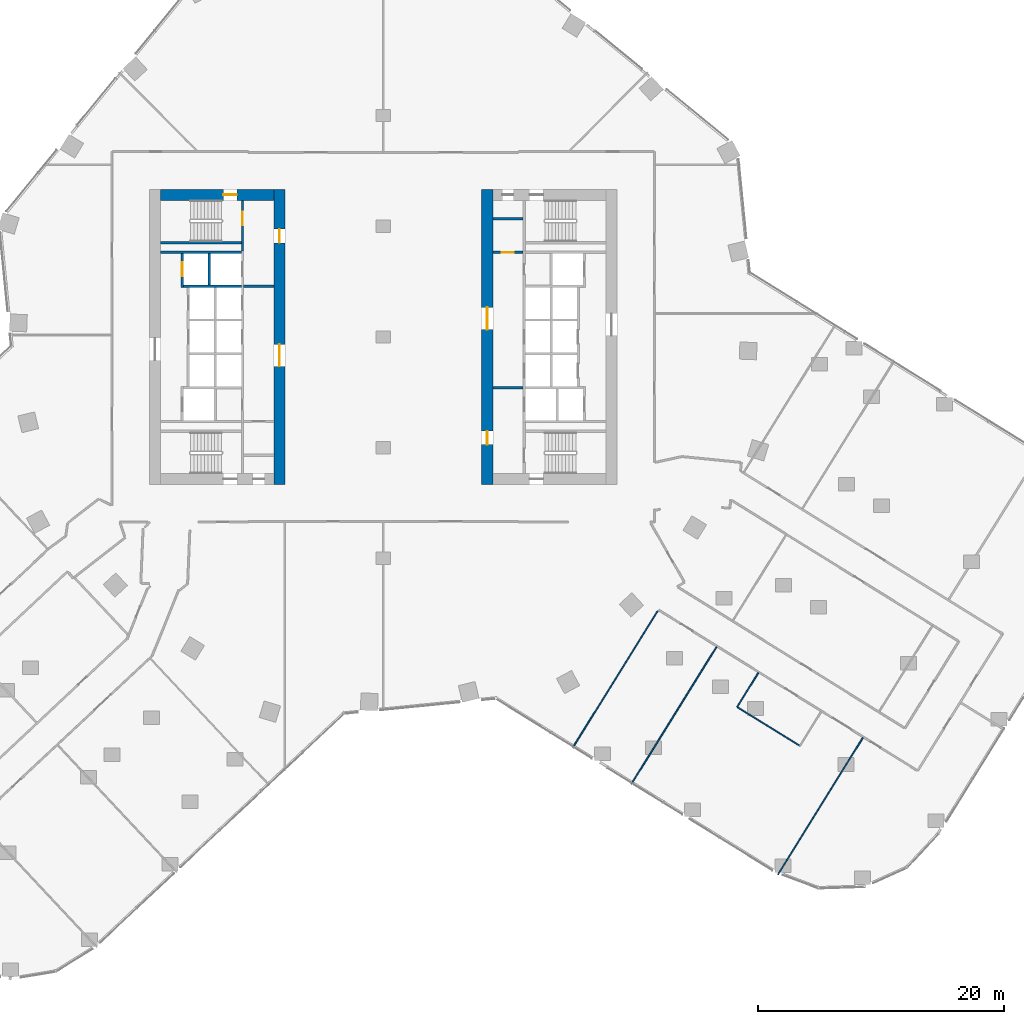
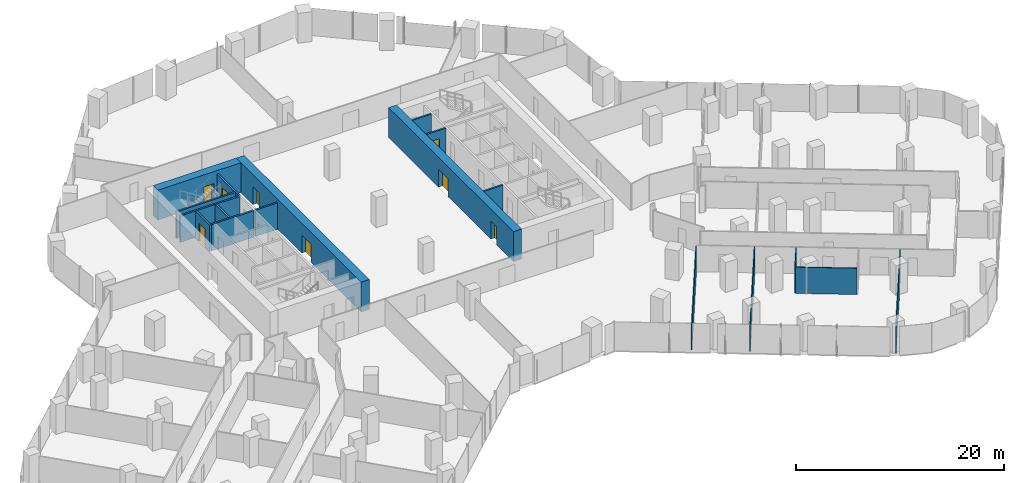
# One storey, part 29 of 33: 18 walls, 8 doors, 8 openings.
"""IFC4 building model written with IfcOpenShell, lengths in metres."""

from ifc_helpers import new_model, si_unit, direction, frame, frame_2d, origin, place, context, subcontext, project, spatial, rectangle, extrude, material, layer, layer_set, type_object, element, fill, save


model = new_model("IFC4")

# Units and contexts
model_context = context("Model", 3, precision=1e-05, world=origin(), true_north=direction((0.0, 1.0)))
body_context = subcontext(model_context, "Body", "Model", "MODEL_VIEW")
ifc_project = project(units=[si_unit("LENGTHUNIT", "METRE"), si_unit("AREAUNIT", "SQUARE_METRE"), si_unit("VOLUMEUNIT", "CUBIC_METRE"), si_unit("PLANEANGLEUNIT", "RADIAN"), si_unit("MASSUNIT", "GRAM", prefix="KILO")], contexts=[model_context])

# Site, building, storey
site_placement = place(None, origin())
site = spatial("IfcSite", under=ifc_project, at=site_placement, CompositionType="ELEMENT")
building_placement = place(site_placement, origin())
building = spatial("IfcBuilding", under=site, at=building_placement, Name="Orlundy Tower", CompositionType="ELEMENT")
storey_placement = place(building_placement, frame((0.0, 0.0, 51.300048828125)))
storey = spatial("IfcBuildingStorey", under=building, at=storey_placement, Name="L11", CompositionType="ELEMENT", Elevation=51.300048828125)

# Wall, opening, door
ifc_material_1 = material(Name="Concrete C80/95", Category="concrete")
ifc_layer_1 = layer(ifc_material_1, 0.89990234375)
ifc_layer_set_1 = layer_set([ifc_layer_1], Name="CORE WALL 900 C80/95")
wall_type_1 = type_object("IfcWallType", Name="CORE WALL 900 C80/95", PredefinedType="SHEAR", material=ifc_layer_set_1)
wall_1_placement = place(storey_placement, frame((-18.10009765625, 11.550048828125, 0.0), z_axis=(0.0, 0.0, 1.0), x_axis=(1.0, 0.0, 0.0)))
wall_1 = element("IfcWall", 1, at=wall_1_placement, inside=storey, type_object=wall_type_1, Name="Core wall W-N L11", PredefinedType="SHEAR", context=body_context, shape_type="SweptSolid", body=[
    extrude(rectangle(XDim=9.2001953125, YDim=0.89990234375, at=frame_2d((4.60009765625, 0.0))), origin(), (0.0, 0.0, 1.0), 3.5),
])
opening_1_placement = place(wall_1_placement, frame((5.10009765625, 0.0, 0.0)))
opening_1 = element("IfcOpeningElement", 2, at=opening_1_placement, cuts=wall_1, Name="Opening 10012", PredefinedType="OPENING", context=body_context, shape_type="SweptSolid", body=[
    extrude(rectangle(XDim=1.10009765625, YDim=2.10009765625, at=frame_2d((0.550048828125, 1.050048828125))), frame((0.0, 0.4599609375, 0.0), z_axis=(0.0, -1.0, 0.0), x_axis=(1.0, 0.0, 0.0)), (0.0, 0.0, 1.0), 0.919921875),
])
ifc_material_2 = material(Name="Steel door set", Category="steel")
door_type_1 = type_object("IfcDoorType", Name="Stair Door 1100x2100", OperationType="SINGLE_SWING_LEFT", PredefinedType="DOOR", material=ifc_material_2)
door_1_placement = place(opening_1_placement, origin())
door_1 = element("IfcDoor", 3, at=door_1_placement, inside=storey, type_object=door_type_1, Name="Stair door 10012", OperationType="SINGLE_SWING_RIGHT", OverallHeight=2.10009765625, OverallWidth=1.10009765625, PredefinedType="DOOR", context=body_context, shape_type="SweptSolid", body=[
    extrude(rectangle(XDim=1.10009765625, YDim=2.10009765625, at=frame_2d((0.550048828125, 1.050048828125))), frame((0.0, 0.02490234375, 0.0), z_axis=(0.0, -1.0, 0.0), x_axis=(1.0, 0.0, 0.0)), (0.0, 0.0, 1.0), 0.050048828125),
])
fill(opening_1, door_1)

# Wall, openings, doors
wall_2_placement = place(storey_placement, frame((-8.449951171875, -12.0, 0.0), z_axis=(0.0, 0.0, 1.0), x_axis=(0.0, 1.0, 0.0)))
wall_2 = element("IfcWall", 4, at=wall_2_placement, inside=storey, type_object=wall_type_1, Name="Core wall W-E L11", PredefinedType="SHEAR", context=body_context, shape_type="SweptSolid", body=[
    extrude(rectangle(XDim=24.0, YDim=0.89990234375, at=frame_2d((12.0, 0.0))), origin(), (0.0, 0.0, 1.0), 3.5),
])
opening_2_placement = place(wall_2_placement, frame((9.60009765625, 0.0, 0.0)))
opening_2 = element("IfcOpeningElement", 5, at=opening_2_placement, cuts=wall_2, Name="Opening 10009", PredefinedType="OPENING", context=body_context, shape_type="SweptSolid", body=[
    extrude(rectangle(XDim=1.800048828125, YDim=2.10009765625, at=frame_2d((0.89990234375, 1.050048828125))), frame((0.0, 0.4599609375, 0.0), z_axis=(0.0, -1.0, 0.0), x_axis=(1.0, 0.0, 0.0)), (0.0, 0.0, 1.0), 0.919921875),
])
opening_3_placement = place(wall_2_placement, frame((19.64990234375, 0.0, 0.0)))
opening_3 = element("IfcOpeningElement", 6, at=opening_3_placement, cuts=wall_2, Name="Opening 10011", PredefinedType="OPENING", context=body_context, shape_type="SweptSolid", body=[
    extrude(rectangle(XDim=1.10009765625, YDim=2.10009765625, at=frame_2d((0.550048828125, 1.050048828125))), frame((0.0, 0.4599609375, 0.0), z_axis=(0.0, -1.0, 0.0), x_axis=(1.0, 0.0, 0.0)), (0.0, 0.0, 1.0), 0.919921875),
])
ifc_material_3 = material(Name="Steel door set", Category="steel")
door_type_2 = type_object("IfcDoorType", Name="Fire-fighting Lobby Door 1100x2100", OperationType="SINGLE_SWING_LEFT", PredefinedType="DOOR", material=ifc_material_3)
door_2_placement = place(opening_3_placement, origin())
door_2 = element("IfcDoor", 7, at=door_2_placement, inside=storey, type_object=door_type_2, Name="Fire-fighting lobby door 10011", OperationType="SINGLE_SWING_RIGHT", OverallHeight=2.10009765625, OverallWidth=1.10009765625, PredefinedType="DOOR", context=body_context, shape_type="SweptSolid", body=[
    extrude(rectangle(XDim=1.10009765625, YDim=2.10009765625, at=frame_2d((0.550048828125, 1.050048828125))), frame((0.0, 0.02490234375, 0.0), z_axis=(0.0, -1.0, 0.0), x_axis=(1.0, 0.0, 0.0)), (0.0, 0.0, 1.0), 0.050048828125),
])
fill(opening_3, door_2)
ifc_material_4 = material(Name="Timber door set", Category="wood")
door_type_3 = type_object("IfcDoorType", Name="Lobby Door 1800x2100", OperationType="DOUBLE_DOOR_DOUBLE_SWING", PredefinedType="DOOR", material=ifc_material_4)
door_3_placement = place(opening_2_placement, origin())
door_3 = element("IfcDoor", 8, at=door_3_placement, inside=storey, type_object=door_type_3, Name="Lift lobby door 10009", OperationType="SINGLE_SWING_LEFT", OverallHeight=2.10009765625, OverallWidth=1.800048828125, PredefinedType="DOOR", context=body_context, shape_type="SweptSolid", body=[
    extrude(rectangle(XDim=1.800048828125, YDim=2.10009765625, at=frame_2d((0.89990234375, 1.050048828125))), frame((0.0, 0.02490234375, 0.0), z_axis=(0.0, -1.0, 0.0), x_axis=(1.0, 0.0, 0.0)), (0.0, 0.0, 1.0), 0.050048828125),
])
fill(opening_2, door_3)

wall_3_placement = place(storey_placement, frame((8.449951171875, -12.0, 0.0), z_axis=(0.0, 0.0, 1.0), x_axis=(0.0, 1.0, 0.0)))
wall_3 = element("IfcWall", 9, at=wall_3_placement, inside=storey, type_object=wall_type_1, Name="Core wall E-W L11", PredefinedType="SHEAR", context=body_context, shape_type="SweptSolid", body=[
    extrude(rectangle(XDim=24.0, YDim=0.89990234375, at=frame_2d((12.0, 0.0))), origin(), (0.0, 0.0, 1.0), 3.5),
])
opening_4_placement = place(wall_3_placement, frame((12.60009765625, 0.0, 0.0)))
opening_4 = element("IfcOpeningElement", 10, at=opening_4_placement, cuts=wall_3, Name="Opening 10058", PredefinedType="OPENING", context=body_context, shape_type="SweptSolid", body=[
    extrude(rectangle(XDim=1.800048828125, YDim=2.10009765625, at=frame_2d((0.89990234375, 1.050048828125))), frame((0.0, 0.4599609375, 0.0), z_axis=(0.0, -1.0, 0.0), x_axis=(1.0, 0.0, 0.0)), (0.0, 0.0, 1.0), 0.919921875),
])
opening_5_placement = place(wall_3_placement, frame((3.25, 0.0, 0.0)))
opening_5 = element("IfcOpeningElement", 11, at=opening_5_placement, cuts=wall_3, Name="Opening 10060", PredefinedType="OPENING", context=body_context, shape_type="SweptSolid", body=[
    extrude(rectangle(XDim=1.10009765625, YDim=2.10009765625, at=frame_2d((0.550048828125, 1.050048828125))), frame((0.0, 0.4599609375, 0.0), z_axis=(0.0, -1.0, 0.0), x_axis=(1.0, 0.0, 0.0)), (0.0, 0.0, 1.0), 0.919921875),
])
door_4_placement = place(opening_5_placement, origin())
door_4 = element("IfcDoor", 12, at=door_4_placement, inside=storey, type_object=door_type_2, Name="Fire-fighting lobby door 10060", OperationType="SINGLE_SWING_LEFT", OverallHeight=2.10009765625, OverallWidth=1.10009765625, PredefinedType="DOOR", context=body_context, shape_type="SweptSolid", body=[
    extrude(rectangle(XDim=1.10009765625, YDim=2.10009765625, at=frame_2d((0.550048828125, 1.050048828125))), frame((0.0, 0.02490234375, 0.0), z_axis=(0.0, -1.0, 0.0), x_axis=(1.0, 0.0, 0.0)), (0.0, 0.0, 1.0), 0.050048828125),
])
fill(opening_5, door_4)
door_5_placement = place(opening_4_placement, origin())
door_5 = element("IfcDoor", 13, at=door_5_placement, inside=storey, type_object=door_type_3, Name="Lift lobby door 10058", OperationType="SINGLE_SWING_RIGHT", OverallHeight=2.10009765625, OverallWidth=1.800048828125, PredefinedType="DOOR", context=body_context, shape_type="SweptSolid", body=[
    extrude(rectangle(XDim=1.800048828125, YDim=2.10009765625, at=frame_2d((0.89990234375, 1.050048828125))), frame((0.0, 0.02490234375, 0.0), z_axis=(0.0, -1.0, 0.0), x_axis=(1.0, 0.0, 0.0)), (0.0, 0.0, 1.0), 0.050048828125),
])
fill(opening_4, door_5)

# Walls
ifc_material_5 = material(Name="Gypsum board partition")
ifc_layer_2 = layer(ifc_material_5, 0.10009765625)
ifc_layer_set_2 = layer_set([ifc_layer_2], Name="Floor partition 100")
wall_type_2 = type_object("IfcWallType", Name="Floor partition 100", PredefinedType="PARTITIONING", material=ifc_layer_set_2)
wall_4_placement = place(storey_placement, frame((28.803955078125, -30.10205078125, 0.0), z_axis=(0.0, 0.0, 1.0), x_axis=(0.849521884128, -0.527553379658, 0.0)))
element("IfcWall", 14, at=wall_4_placement, inside=storey, type_object=wall_type_2, Name="wall-int-L11-017", PredefinedType="PARTITIONING", context=body_context, shape_type="SweptSolid", body=[
    extrude(rectangle(XDim=5.90087890625, YDim=0.10009765625, at=frame_2d((2.950439453125, 0.0))), origin(), (0.0, 0.0, 1.0), 3.079833984375),
])
wall_5_placement = place(storey_placement, frame((32.08203125, -43.68798828125, 0.0), z_axis=(0.0, 0.0, 1.0), x_axis=(0.527448339585, 0.849587105051, 0.0)))
element("IfcWall", 15, at=wall_5_placement, inside=storey, type_object=wall_type_2, Name="wall-int-L11-059", PredefinedType="PARTITIONING", context=body_context, shape_type="SweptSolid", body=[
    extrude(rectangle(XDim=13.08154296875, YDim=0.10009765625, at=frame_2d((6.540771484375, 0.0))), origin(), (0.0, 0.0, 1.0), 3.079833984375),
])
wall_6_placement = place(storey_placement, frame((28.761962890625, -30.075927734375, 0.0), z_axis=(0.0, 0.0, 1.0), x_axis=(0.527485571625, 0.84956398919, 0.0)))
element("IfcWall", 16, at=wall_6_placement, inside=storey, type_object=wall_type_2, Name="wall-int-L11-063", PredefinedType="PARTITIONING", context=body_context, shape_type="SweptSolid", body=[
    extrude(rectangle(XDim=3.2685546875, YDim=0.10009765625, at=frame_2d((1.63427734375, 0.0))), origin(), (0.0, 0.0, 1.0), 3.079833984375),
])
wall_7_placement = place(storey_placement, frame((20.158935546875, -36.35009765625, 0.0), z_axis=(0.0, 0.0, 1.0), x_axis=(0.527437340002, 0.849593933813, 0.0)))
element("IfcWall", 17, at=wall_7_placement, inside=storey, type_object=wall_type_2, Name="wall-int-L11-064", PredefinedType="PARTITIONING", context=body_context, shape_type="SweptSolid", body=[
    extrude(rectangle(XDim=13.136962890625, YDim=0.10009765625, at=frame_2d((6.568359375, 0.0))), origin(), (0.0, 0.0, 1.0), 3.079833984375),
])
wall_8_placement = place(storey_placement, frame((15.39599609375, -33.39306640625, 0.0), z_axis=(0.0, 0.0, 1.0), x_axis=(0.527427412062, 0.849600097107, 0.0)))
element("IfcWall", 18, at=wall_8_placement, inside=storey, type_object=wall_type_2, Name="wall-int-L11-067", PredefinedType="PARTITIONING", context=body_context, shape_type="SweptSolid", body=[
    extrude(rectangle(XDim=13.08642578125, YDim=0.10009765625, at=frame_2d((6.543212890625, 0.0))), origin(), (0.0, 0.0, 1.0), 3.079833984375),
])

# Wall, opening, door
ifc_material_6 = material(Name="Concrete C40/50", Category="concrete")
ifc_layer_3 = layer(ifc_material_6, 0.199951171875)
ifc_layer_set_3 = layer_set([ifc_layer_3], Name="Load-bearing Shaft Wall 200")
wall_type_3 = type_object("IfcWallType", Name="Load-bearing Shaft Wall 200", PredefinedType="SOLIDWALL", material=ifc_layer_set_3)
wall_9_placement = place(storey_placement, frame((-11.43994140625, 6.97509765625, 0.0), z_axis=(0.0, 0.0, 1.0), x_axis=(0.0, 1.0, 0.0)))
wall_9 = element("IfcWall", 19, at=wall_9_placement, inside=storey, type_object=wall_type_3, Name="Shaft wall W10-stair-end-n", PredefinedType="SOLIDWALL", context=body_context, shape_type="SweptSolid", body=[
    extrude(rectangle(XDim=4.125, YDim=0.199951171875, at=frame_2d((2.0625, 0.0))), origin(), (0.0, 0.0, 1.0), 3.08984375),
])
opening_6_placement = place(wall_9_placement, frame((2.10009765625, 0.0, 0.0)))
opening_6 = element("IfcOpeningElement", 20, at=opening_6_placement, cuts=wall_9, Name="Opening 10014", PredefinedType="OPENING", context=body_context, shape_type="SweptSolid", body=[
    extrude(rectangle(XDim=1.10009765625, YDim=2.10009765625, at=frame_2d((0.550048828125, 1.050048828125))), frame((0.0, 0.110107421875, 0.0), z_axis=(0.0, -1.0, 0.0), x_axis=(1.0, 0.0, 0.0)), (0.0, 0.0, 1.0), 0.22021484375),
])
door_6_placement = place(opening_6_placement, origin())
door_6 = element("IfcDoor", 21, at=door_6_placement, inside=storey, type_object=door_type_2, Name="Fire-fighting lobby to stair door 10014", OperationType="SINGLE_SWING_RIGHT", OverallHeight=2.10009765625, OverallWidth=1.10009765625, PredefinedType="DOOR", context=body_context, shape_type="SweptSolid", body=[
    extrude(rectangle(XDim=1.10009765625, YDim=2.10009765625, at=frame_2d((0.550048828125, 1.050048828125))), frame((0.0, 0.02490234375, 0.0), z_axis=(0.0, -1.0, 0.0), x_axis=(1.0, 0.0, 0.0)), (0.0, 0.0, 1.0), 0.050048828125),
])
fill(opening_6, door_6)

# Walls
wall_10_placement = place(storey_placement, frame((-11.5400390625, 7.64990234375, 0.0), z_axis=(0.0, 0.0, 1.0), x_axis=(-1.0, 0.0, 0.0)))
element("IfcWall", 22, at=wall_10_placement, inside=storey, type_object=wall_type_3, Name="Shaft wall W10-stair-side-n", PredefinedType="SOLIDWALL", context=body_context, shape_type="SweptSolid", body=[
    extrude(rectangle(XDim=6.56005859375, YDim=0.199951171875, at=frame_2d((3.280029296875, 0.0))), origin(), (0.0, 0.0, 1.0), 3.08984375),
])
ifc_material_7 = material(Name="Gypsum board partition on steel studs", Category="steel")
ifc_layer_4 = layer(ifc_material_7, 0.199951171875)
ifc_layer_set_4 = layer_set([ifc_layer_4], Name="Partition 200")
wall_type_4 = type_object("IfcWallType", Name="Partition 200", PredefinedType="PARTITIONING", material=ifc_layer_set_4)
for number, where, z_axis, x_axis, name in (
    (23, (-8.89990234375, 4.125, 0.0), (0.0, 0.0, 1.0), (-1.0, 0.0, 0.0), "Partition wall W10-lobby-n"),
    (24, (8.89990234375, -4.125, 0.0), (0.0, 0.0, 1.0), (1.0, 0.0, 0.0), "Partition wall E10-lobby-n"),
):
    element("IfcWall", number, at=place(storey_placement, frame(where, z_axis=z_axis, x_axis=x_axis)), inside=storey, type_object=wall_type_4, Name=name, PredefinedType="PARTITIONING", context=body_context, shape_type="SweptSolid", body=[
        extrude(rectangle(XDim=2.440185546875, YDim=0.199951171875, at=frame_2d((1.22021484375, 0.0))), origin(), (0.0, 0.0, 1.0), 3.08984375),
    ])

# Wall, opening, door
wall_11_placement = place(storey_placement, frame((8.89990234375, 6.875, 0.0), z_axis=(0.0, 0.0, 1.0), x_axis=(1.0, 0.0, 0.0)))
wall_11 = element("IfcWall", 25, at=wall_11_placement, inside=storey, type_object=wall_type_4, Name="Partition wall E10-end-s", PredefinedType="PARTITIONING", context=body_context, shape_type="SweptSolid", body=[
    extrude(rectangle(XDim=2.440185546875, YDim=0.199951171875, at=frame_2d((1.22021484375, 0.0))), origin(), (0.0, 0.0, 1.0), 3.08984375),
])
opening_7_placement = place(wall_11_placement, frame((0.719970703125, 0.0, 0.0)))
opening_7 = element("IfcOpeningElement", 26, at=opening_7_placement, cuts=wall_11, Name="Opening 10065", PredefinedType="OPENING", context=body_context, shape_type="SweptSolid", body=[
    extrude(rectangle(XDim=1.0, YDim=2.10009765625, at=frame_2d((0.5, 1.050048828125))), frame((0.0, 0.110107421875, 0.0), z_axis=(0.0, -1.0, 0.0), x_axis=(1.0, 0.0, 0.0)), (0.0, 0.0, 1.0), 0.22021484375),
])
ifc_material_8 = material(Name="Timber door set", Category="wood")
door_type_4 = type_object("IfcDoorType", Name="Accessible Door 1000x2100", OperationType="SINGLE_SWING_LEFT", PredefinedType="DOOR", material=ifc_material_8)
door_7_placement = place(opening_7_placement, origin())
door_7 = element("IfcDoor", 27, at=door_7_placement, inside=storey, type_object=door_type_4, Name="Accessible WC door 10065", OperationType="SINGLE_SWING_RIGHT", OverallHeight=2.10009765625, OverallWidth=1.0, PredefinedType="DOOR", context=body_context, shape_type="SweptSolid", body=[
    extrude(rectangle(XDim=1.0, YDim=2.10009765625, at=frame_2d((0.5, 1.050048828125))), frame((0.0, 0.02490234375, 0.0), z_axis=(0.0, -1.0, 0.0), x_axis=(1.0, 0.0, 0.0)), (0.0, 0.0, 1.0), 0.050048828125),
])
fill(opening_7, door_7)

# Walls
wall_12_placement = place(storey_placement, frame((8.89990234375, 9.60009765625, 0.0), z_axis=(0.0, 0.0, 1.0), x_axis=(1.0, 0.0, 0.0)))
element("IfcWall", 28, at=wall_12_placement, inside=storey, type_object=wall_type_4, Name="Partition wall E10-room-s0", PredefinedType="PARTITIONING", context=body_context, shape_type="SweptSolid", body=[
    extrude(rectangle(XDim=2.440185546875, YDim=0.199951171875, at=frame_2d((1.22021484375, 0.0))), origin(), (0.0, 0.0, 1.0), 3.08984375),
])
ifc_material_9 = material(Name="Fire-rated blockwork shaft wall", Category="masonry")
ifc_layer_5 = layer(ifc_material_9, 0.199951171875)
ifc_layer_set_5 = layer_set([ifc_layer_5], Name="Shaft Wall 200")
wall_type_5 = type_object("IfcWallType", Name="Shaft Wall 200", PredefinedType="SOLIDWALL", material=ifc_layer_set_5)
wall_13_placement = place(storey_placement, frame((-11.5400390625, 6.875, 0.0), z_axis=(0.0, 0.0, 1.0), x_axis=(-1.0, 0.0, 0.0)))
element("IfcWall", 29, at=wall_13_placement, inside=storey, type_object=wall_type_5, Name="Shaft wall W10-zone-n", PredefinedType="SOLIDWALL", context=body_context, shape_type="SweptSolid", body=[
    extrude(rectangle(XDim=6.56005859375, YDim=0.199951171875, at=frame_2d((3.280029296875, 0.0))), origin(), (0.0, 0.0, 1.0), 3.08984375),
])
wall_14_placement = place(storey_placement, frame((-11.5400390625, 4.125, 0.0), z_axis=(0.0, 0.0, 1.0), x_axis=(-1.0, 0.0, 0.0)))
element("IfcWall", 30, at=wall_14_placement, inside=storey, type_object=wall_type_5, Name="Shaft wall W10-cross+4.125", PredefinedType="SOLIDWALL", context=body_context, shape_type="SweptSolid", body=[
    extrude(rectangle(XDim=4.699951171875, YDim=0.199951171875, at=frame_2d((2.35009765625, 0.0))), origin(), (0.0, 0.0, 1.0), 3.08984375),
])
wall_15_placement = place(storey_placement, frame((-14.139892578125, 4.22509765625, 0.0), z_axis=(0.0, 0.0, 1.0), x_axis=(0.0, 1.0, 0.0)))
element("IfcWall", 31, at=wall_15_placement, inside=storey, type_object=wall_type_5, Name="Shaft wall W10-mid-b", PredefinedType="SOLIDWALL", context=body_context, shape_type="SweptSolid", body=[
    extrude(rectangle(XDim=2.5498046875, YDim=0.199951171875, at=frame_2d((1.27490234375, 0.0))), origin(), (0.0, 0.0, 1.0), 3.08984375),
])

# Wall, opening, door
wall_16_placement = place(storey_placement, frame((-16.340087890625, 4.02490234375, 0.0), z_axis=(0.0, 0.0, 1.0), x_axis=(0.0, 1.0, 0.0)))
wall_16 = element("IfcWall", 32, at=wall_16_placement, inside=storey, type_object=wall_type_5, Name="Shaft wall W10-front-o-c", PredefinedType="SOLIDWALL", context=body_context, shape_type="SweptSolid", body=[
    extrude(rectangle(XDim=2.75, YDim=0.199951171875, at=frame_2d((1.375, 0.0))), origin(), (0.0, 0.0, 1.0), 3.08984375),
])
opening_8_placement = place(wall_16_placement, frame((0.925048828125, 0.0, 0.0)))
opening_8 = element("IfcOpeningElement", 33, at=opening_8_placement, cuts=wall_16, Name="Opening 10007", PredefinedType="OPENING", context=body_context, shape_type="SweptSolid", body=[
    extrude(rectangle(XDim=1.10009765625, YDim=2.10009765625, at=frame_2d((0.550048828125, 1.050048828125))), frame((0.0, 0.110107421875, 0.0), z_axis=(0.0, -1.0, 0.0), x_axis=(1.0, 0.0, 0.0)), (0.0, 0.0, 1.0), 0.22021484375),
])
ifc_material_10 = material(Name="Steel door set", Category="steel")
door_type_5 = type_object("IfcDoorType", Name="Landing Door 1100x2100", OperationType="DOUBLE_DOOR_SLIDING", PredefinedType="DOOR", material=ifc_material_10)
door_8_placement = place(opening_8_placement, origin())
door_8 = element("IfcDoor", 34, at=door_8_placement, inside=storey, type_object=door_type_5, Name="Lift landing door LP-04 10007", OperationType="DOUBLE_DOOR_SLIDING", OverallHeight=2.10009765625, OverallWidth=1.10009765625, PredefinedType="DOOR", context=body_context, shape_type="SweptSolid", body=[
    extrude(rectangle(XDim=1.10009765625, YDim=2.10009765625, at=frame_2d((0.550048828125, 1.050048828125))), frame((0.0, 0.02490234375, 0.0), z_axis=(0.0, -1.0, 0.0), x_axis=(1.0, 0.0, 0.0)), (0.0, 0.0, 1.0), 0.050048828125),
])
fill(opening_8, door_8)

save(model, "model.ifc")
